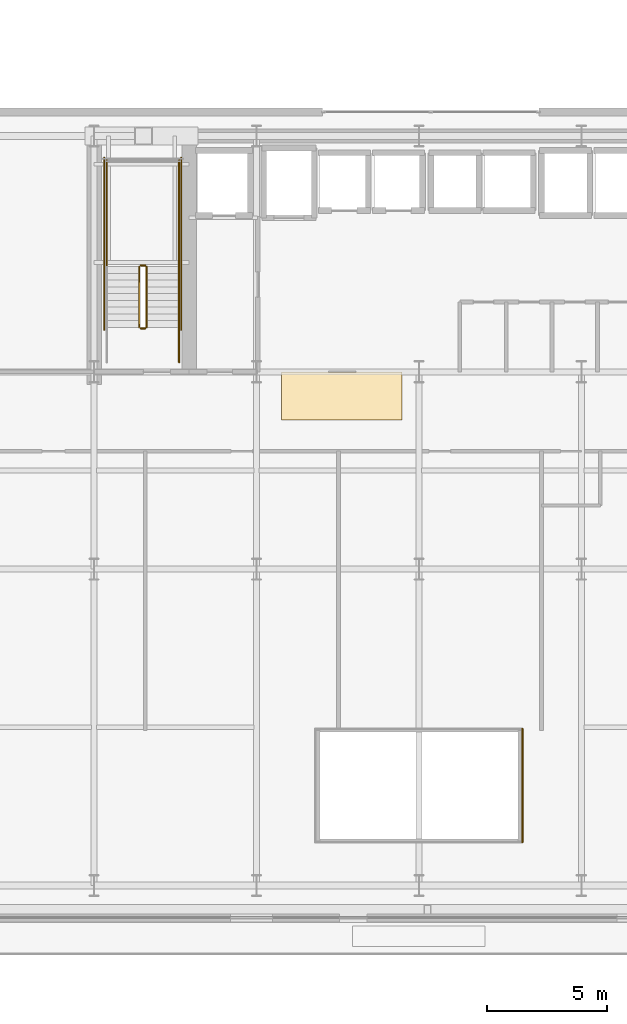
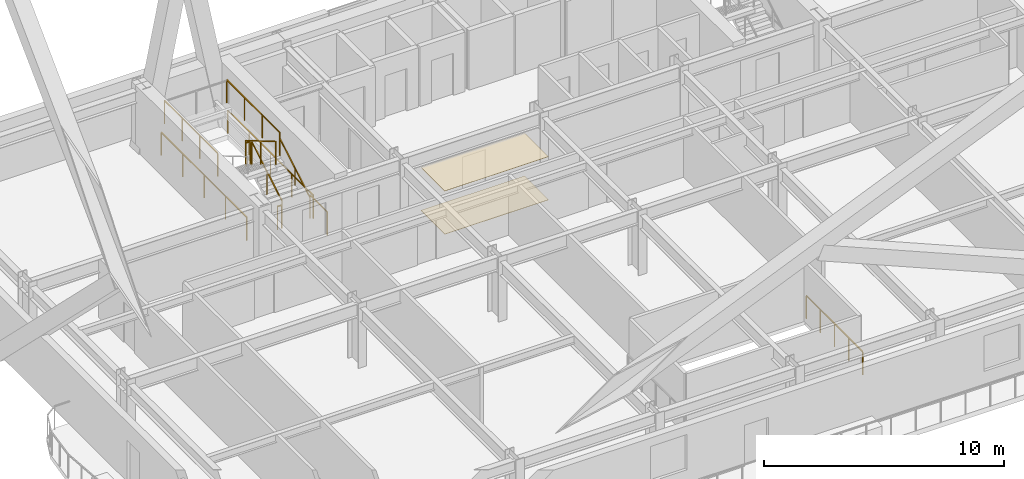
# One storey, part 18 of 25: 11 railings, 2 coverings.
"""IFC4 building model written with IfcOpenShell, lengths in metres."""

from ifc_helpers import new_model, si_unit, direction, frame, origin, origin_2d, place, context, subcontext, project, spatial, polyline, rectangle, outline, extrude, material, layer, layer_set, type_object, element, save


model = new_model("IFC4")

# Units and contexts
model_context = context("Model", 3, precision=1e-05, world=origin(), true_north=direction((0.0, 1.0)))
body_context = subcontext(model_context, "Body", "Model", "MODEL_VIEW")
ifc_project = project(units=[si_unit("LENGTHUNIT", "METRE"), si_unit("AREAUNIT", "SQUARE_METRE"), si_unit("VOLUMEUNIT", "CUBIC_METRE"), si_unit("PLANEANGLEUNIT", "RADIAN"), si_unit("MASSUNIT", "GRAM", prefix="KILO")], contexts=[model_context])

# Site, building, storey
site_placement = place(None, origin())
site = spatial("IfcSite", under=ifc_project, at=site_placement, CompositionType="ELEMENT")
building_placement = place(site_placement, origin())
building = spatial("IfcBuilding", under=site, at=building_placement, Name="Haevon Station Towers", CompositionType="ELEMENT")
storey_placement = place(building_placement, frame((0.0, 0.0, 50.39990234375)))
storey = spatial("IfcBuildingStorey", under=building, at=storey_placement, Name="L12", CompositionType="ELEMENT", Elevation=50.39990234375)

# Railing
ifc_material_1 = material(Name="Steel S355", Category="steel")
railing_type_1 = type_object("IfcRailingType", Name="BAL-ATR1200", PredefinedType="BALUSTRADE", material=ifc_material_1)
railing_1_placement = place(storey_placement, frame((41.80517578125, 18.642333984375, 0.0)))
element("IfcRailing", 1, at=railing_1_placement, inside=storey, type_object=railing_type_1, Name="L12 Atrium Void Balustrade 2", PredefinedType="BALUSTRADE", context=body_context, shape_type="SweptSolid", body=[
    extrude(rectangle(XDim=0.048095703125, YDim=0.048095703125, at=origin_2d()), frame((0.0, 0.0, 1.17578125), z_axis=(0.0, 1.0, 0.0), x_axis=(-1.0, 0.0, 0.0)), (0.0, 0.0, 1.0), 4.71533203125),
    extrude(rectangle(XDim=0.0419921875, YDim=0.0419921875, at=origin_2d()), origin(), (0.0, 0.0, 1.0), 1.15185546875),
    extrude(rectangle(XDim=0.0419921875, YDim=0.0419921875, at=origin_2d()), frame((0.0, 1.1787109375, 0.0)), (0.0, 0.0, 1.0), 1.15185546875),
    extrude(rectangle(XDim=0.0419921875, YDim=0.0419921875, at=origin_2d()), frame((0.0, 2.357666015625, 0.0)), (0.0, 0.0, 1.0), 1.15185546875),
    extrude(rectangle(XDim=0.0419921875, YDim=0.0419921875, at=origin_2d()), frame((0.0, 3.53662109375, 0.0)), (0.0, 0.0, 1.0), 1.15185546875),
    extrude(rectangle(XDim=0.0419921875, YDim=0.0419921875, at=origin_2d()), frame((0.0, 4.71533203125, 0.0)), (0.0, 0.0, 1.0), 1.15185546875),
])

# Coverings
ifc_material_2 = material(Name="Gypsum acoustic ceiling tile", Category="concrete")
ifc_layer_1 = layer(ifc_material_2, 0.014892578125)
ifc_layer_set_1 = layer_set([ifc_layer_1], Name="Gypsum acoustic ceiling tile")
covering_type_1 = type_object("IfcCoveringType", Name="COV-CEIL15", PredefinedType="CEILING", material=ifc_layer_set_1)
covering_1_placement = place(storey_placement, frame((0.0, 0.0, 2.2001953125)))
element("IfcCovering", 2, at=covering_1_placement, inside=storey, type_object=covering_type_1, Name="L12 Acoustic Corridor Ceiling", PredefinedType="CEILING", context=body_context, shape_type="SweptSolid", body=[
    extrude(outline(polyline([(31.800048828125, 36.199951171875), (36.800048828125, 36.199951171875), (36.800048828125, 38.199951171875), (31.800048828125, 38.199951171875), (31.800048828125, 36.199951171875)])), origin(), (0.0, 0.0, 1.0), 0.014892578125),
])
ifc_material_3 = material(Name="Granite stone paving", Category="masonry")
ifc_layer_2 = layer(ifc_material_3, 0.02001953125)
ifc_layer_set_2 = layer_set([ifc_layer_2], Name="Granite stone paving")
covering_type_2 = type_object("IfcCoveringType", Name="COV-FLR20", PredefinedType="FLOORING", material=ifc_layer_set_2)
covering_2_placement = place(storey_placement, origin())
element("IfcCovering", 3, at=covering_2_placement, inside=storey, type_object=covering_type_2, Name="L12 Corridor Stone Flooring", PredefinedType="FLOORING", context=body_context, shape_type="SweptSolid", body=[
    extrude(outline(polyline([(31.800048828125, 36.199951171875), (36.800048828125, 36.199951171875), (36.800048828125, 38.199951171875), (31.800048828125, 38.199951171875), (31.800048828125, 36.199951171875)])), origin(), (0.0, 0.0, 1.0), 0.02001953125),
])

# Railings
railing_type_2 = type_object("IfcRailingType", Name="GRD-STR1200", PredefinedType="GUARDRAIL", material=ifc_material_1)
railing_2_placement = place(storey_placement, frame((26.179931640625, 40.050048828125, 0.1650390625)))
element("IfcRailing", 4, at=railing_2_placement, inside=storey, type_object=railing_type_2, Name="L12 ST1 Stair Guard 1", PredefinedType="GUARDRAIL", context=body_context, shape_type="SweptSolid", body=[
    extrude(rectangle(XDim=0.048095703125, YDim=0.048095703125, at=origin_2d()), frame((0.0, 0.0, 1.17578125), z_axis=(0.0, 0.86152411907, 0.507716645641), x_axis=(-1.0, 0.0, 0.0)), (0.0, 0.0, 1.0), 2.925048828125),
    extrude(rectangle(XDim=0.0419921875, YDim=0.0419921875, at=origin_2d()), origin(), (0.0, 0.0, 1.0), 1.15185546875),
    extrude(rectangle(XDim=0.0419921875, YDim=0.0419921875, at=origin_2d()), frame((0.0, 1.260009765625, 0.74267578125)), (0.0, 0.0, 1.0), 1.15185546875),
    extrude(rectangle(XDim=0.0419921875, YDim=0.0419921875, at=origin_2d()), frame((0.0, 2.52001953125, 1.485107421875)), (0.0, 0.0, 1.0), 1.15185546875),
])
railing_3_placement = place(storey_placement, frame((26.1298828125, 42.6201171875, 1.650146484375)))
element("IfcRailing", 5, at=railing_3_placement, inside=storey, type_object=railing_type_2, Name="L12 ST1 Stair Guard 2", PredefinedType="GUARDRAIL", context=body_context, shape_type="SweptSolid", body=[
    extrude(rectangle(XDim=0.048095703125, YDim=0.048095703125, at=origin_2d()), frame((0.0, 0.0, 1.17578125), z_axis=(-1.0, 0.0, 0.0), x_axis=(0.0, -1.0, 0.0)), (0.0, 0.0, 1.0), 0.199951171875),
    extrude(rectangle(XDim=0.0419921875, YDim=0.0419921875, at=origin_2d()), origin(), (0.0, 0.0, 1.0), 1.15185546875),
    extrude(rectangle(XDim=0.0419921875, YDim=0.0419921875, at=origin_2d()), frame((-0.199951171875, 0.0, 0.0)), (0.0, 0.0, 1.0), 1.15185546875),
])
for number, where, name in (
    (6, (27.530029296875, 42.570068359375, 1.650146484375), "L12 ST1 Stair Guard 3"),
    (7, (24.530029296875, 42.570068359375, 1.650146484375), "L12 ST1 Stair Guard 4"),
):
    element("IfcRailing", number, at=place(storey_placement, frame(where)), inside=storey, type_object=railing_type_2, Name=name, PredefinedType="GUARDRAIL", context=body_context, shape_type="SweptSolid", body=[
        extrude(rectangle(XDim=0.048095703125, YDim=0.048095703125, at=origin_2d()), frame((0.0, 0.0, 1.17578125), z_axis=(0.0, 1.0, 0.0), x_axis=(-1.0, 0.0, 0.0)), (0.0, 0.0, 1.0), 4.429931640625),
        extrude(rectangle(XDim=0.0419921875, YDim=0.0419921875, at=origin_2d()), origin(), (0.0, 0.0, 1.0), 1.15185546875),
        extrude(rectangle(XDim=0.0419921875, YDim=0.0419921875, at=origin_2d()), frame((0.0, 1.4765625, 0.0)), (0.0, 0.0, 1.0), 1.15185546875),
        extrude(rectangle(XDim=0.0419921875, YDim=0.0419921875, at=origin_2d()), frame((0.0, 2.953369140625, 0.0)), (0.0, 0.0, 1.0), 1.15185546875),
        extrude(rectangle(XDim=0.0419921875, YDim=0.0419921875, at=origin_2d()), frame((0.0, 4.429931640625, 0.0)), (0.0, 0.0, 1.0), 1.15185546875),
    ])
railing_4_placement = place(storey_placement, frame((25.8798828125, 42.570068359375, 1.815185546875)))
element("IfcRailing", 8, at=railing_4_placement, inside=storey, type_object=railing_type_2, Name="L12 ST1 Stair Guard 6", PredefinedType="GUARDRAIL", context=body_context, shape_type="SweptSolid", body=[
    extrude(rectangle(XDim=0.048095703125, YDim=0.048095703125, at=origin_2d()), frame((0.0, 0.0, 1.17578125), z_axis=(0.0, -0.861560626758, 0.507654692109), x_axis=(1.0, 0.0, 0.0)), (0.0, 0.0, 1.0), 2.925048828125),
    extrude(rectangle(XDim=0.0419921875, YDim=0.0419921875, at=origin_2d()), origin(), (0.0, 0.0, 1.0), 1.15185546875),
    extrude(rectangle(XDim=0.0419921875, YDim=0.0419921875, at=origin_2d()), frame((0.0, -1.260009765625, 0.742431640625)), (0.0, 0.0, 1.0), 1.15185546875),
    extrude(rectangle(XDim=0.0419921875, YDim=0.0419921875, at=origin_2d()), frame((0.0, -2.52001953125, 1.48486328125)), (0.0, 0.0, 1.0), 1.15185546875),
])
railing_5_placement = place(storey_placement, frame((26.1298828125, 40.0, 0.0)))
element("IfcRailing", 9, at=railing_5_placement, inside=storey, type_object=railing_type_2, Name="L12 ST1 Stair Guard 7", PredefinedType="GUARDRAIL", context=body_context, shape_type="SweptSolid", body=[
    extrude(rectangle(XDim=0.048095703125, YDim=0.048095703125, at=origin_2d()), frame((0.0, 0.0, 1.17578125), z_axis=(-1.0, 0.0, 0.0), x_axis=(0.0, -1.0, 0.0)), (0.0, 0.0, 1.0), 0.199951171875),
    extrude(rectangle(XDim=0.0419921875, YDim=0.0419921875, at=origin_2d()), origin(), (0.0, 0.0, 1.0), 1.15185546875),
    extrude(rectangle(XDim=0.0419921875, YDim=0.0419921875, at=origin_2d()), frame((-0.199951171875, 0.0, 0.0)), (0.0, 0.0, 1.0), 1.15185546875),
])
railing_6_placement = place(storey_placement, frame((27.530029296875, 38.60009765625, 0.0)))
element("IfcRailing", 10, at=railing_6_placement, inside=storey, type_object=railing_type_2, Name="L12 ST1 Stair Guard 8", PredefinedType="GUARDRAIL", context=body_context, shape_type="SweptSolid", body=[
    extrude(rectangle(XDim=0.048095703125, YDim=0.048095703125, at=origin_2d()), frame((0.0, 0.0, 1.17578125), z_axis=(0.0, 1.0, 0.0), x_axis=(-1.0, 0.0, 0.0)), (0.0, 0.0, 1.0), 1.449951171875),
    extrude(rectangle(XDim=0.0419921875, YDim=0.0419921875, at=origin_2d()), origin(), (0.0, 0.0, 1.0), 1.15185546875),
    extrude(rectangle(XDim=0.0419921875, YDim=0.0419921875, at=origin_2d()), frame((0.0, 1.449951171875, 0.0)), (0.0, 0.0, 1.0), 1.15185546875),
])
for number, where, name in (
    (11, (27.6298828125, 39.949951171875, 0.0), "L12 ST1 Stair Guard 10"),
    (12, (24.429931640625, 39.949951171875, 0.0), "L12 ST1 Stair Guard 11"),
):
    element("IfcRailing", number, at=place(storey_placement, frame(where)), inside=storey, type_object=railing_type_2, Name=name, PredefinedType="GUARDRAIL", context=body_context, shape_type="SweptSolid", body=[
        extrude(rectangle(XDim=0.048095703125, YDim=0.048095703125, at=origin_2d()), frame((0.0, 0.0, 1.17578125), z_axis=(0.0, 1.0, 0.0), x_axis=(-1.0, 0.0, 0.0)), (0.0, 0.0, 1.0), 7.150146484375),
        extrude(rectangle(XDim=0.0419921875, YDim=0.0419921875, at=origin_2d()), origin(), (0.0, 0.0, 1.0), 1.15185546875),
        extrude(rectangle(XDim=0.0419921875, YDim=0.0419921875, at=origin_2d()), frame((0.0, 1.78759765625, 0.0)), (0.0, 0.0, 1.0), 1.15185546875),
        extrude(rectangle(XDim=0.0419921875, YDim=0.0419921875, at=origin_2d()), frame((0.0, 3.5751953125, 0.0)), (0.0, 0.0, 1.0), 1.15185546875),
        extrude(rectangle(XDim=0.0419921875, YDim=0.0419921875, at=origin_2d()), frame((0.0, 5.362548828125, 0.0)), (0.0, 0.0, 1.0), 1.15185546875),
        extrude(rectangle(XDim=0.0419921875, YDim=0.0419921875, at=origin_2d()), frame((0.0, 7.150146484375, 0.0)), (0.0, 0.0, 1.0), 1.15185546875),
    ])
railing_type_3 = type_object("IfcRailingType", Name="HND-STR900", PredefinedType="HANDRAIL", material=ifc_material_1)
railing_7_placement = place(storey_placement, frame((27.530029296875, 40.050048828125, 0.1650390625)))
element("IfcRailing", 13, at=railing_7_placement, inside=storey, type_object=railing_type_3, Name="L12 ST1 Stair Handrail 1", PredefinedType="HANDRAIL", context=body_context, shape_type="SweptSolid", body=[
    extrude(rectangle(XDim=0.048095703125, YDim=0.048095703125, at=origin_2d()), frame((0.0, 0.0, 0.8759765625), z_axis=(0.0, 0.86152411907, 0.507716645641), x_axis=(-1.0, 0.0, 0.0)), (0.0, 0.0, 1.0), 2.925048828125),
    extrude(rectangle(XDim=0.0419921875, YDim=0.0419921875, at=origin_2d()), origin(), (0.0, 0.0, 1.0), 0.851806640625),
    extrude(rectangle(XDim=0.0419921875, YDim=0.0419921875, at=origin_2d()), frame((0.0, 1.260009765625, 0.74267578125)), (0.0, 0.0, 1.0), 0.851806640625),
    extrude(rectangle(XDim=0.0419921875, YDim=0.0419921875, at=origin_2d()), frame((0.0, 2.52001953125, 1.485107421875)), (0.0, 0.0, 1.0), 0.851806640625),
])

save(model, "model.ifc")
